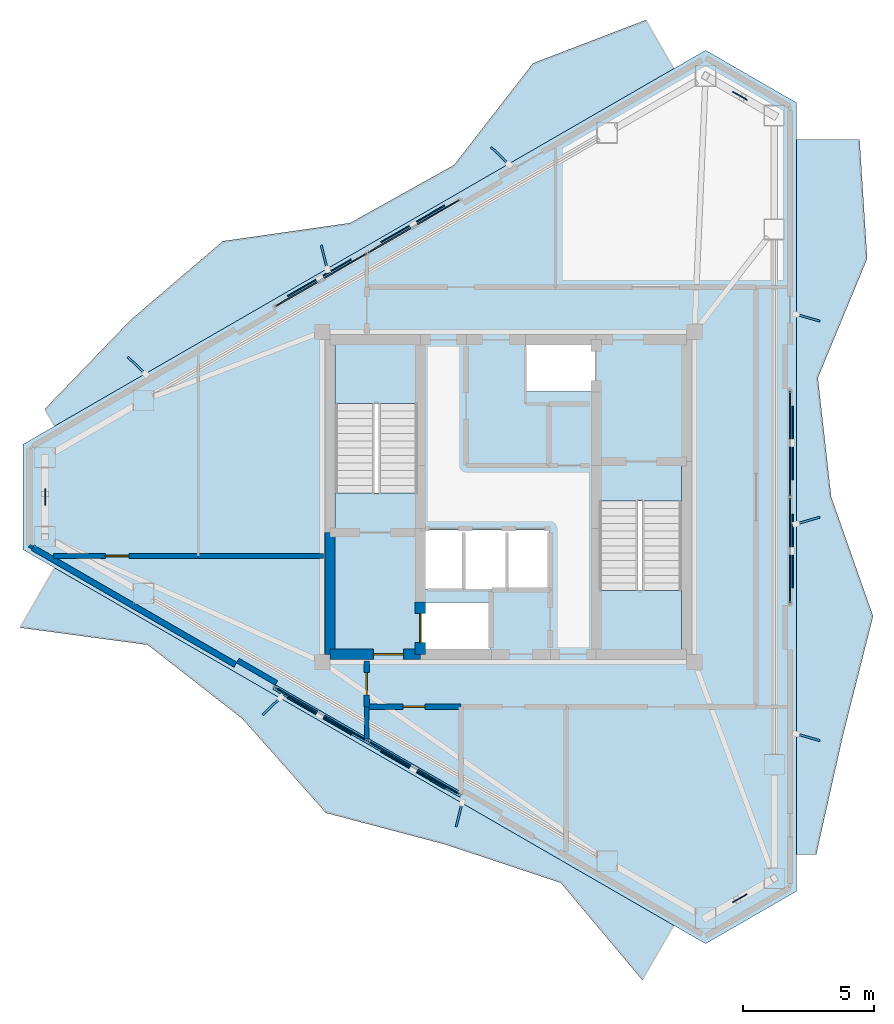
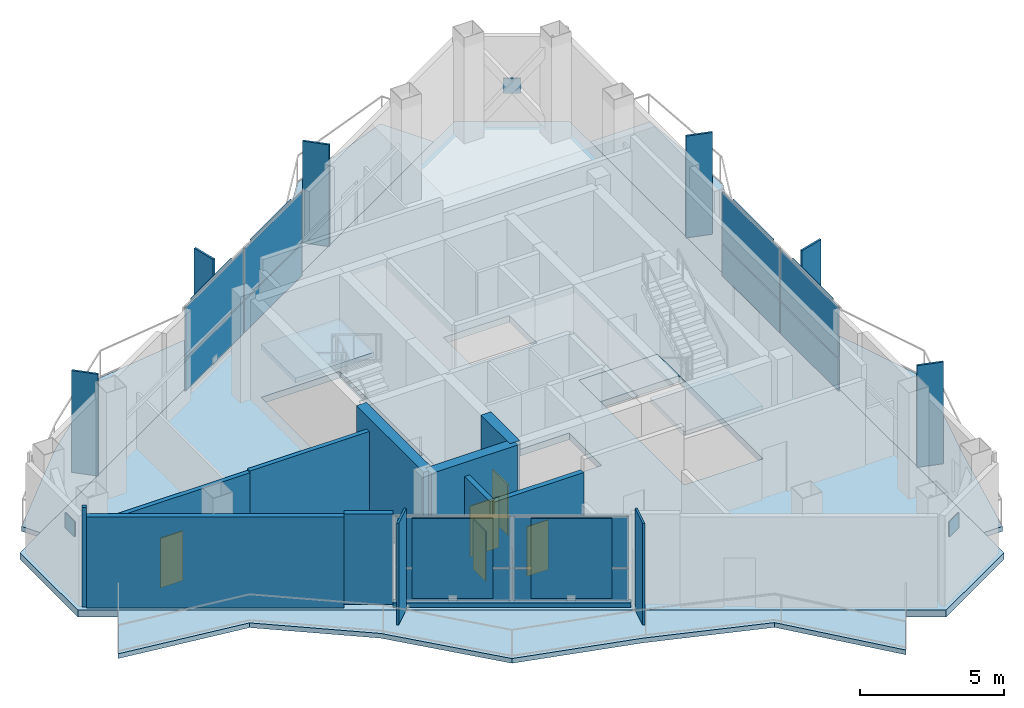
# One storey, part 9 of 14: 29 plates, 12 walls, 8 slabs, 5 doors, 5 openings, 5 elements without a shape of their own.
"""IFC4 building model written with IfcOpenShell, lengths in metres."""

from ifc_helpers import new_model, si_unit, direction, frame, frame_2d, origin, origin_2d, place, context, subcontext, project, spatial, polyline, rectangle, outline, extrude, material, layer, layer_set, type_object, element, fill, aggregate, save


model = new_model("IFC4")

# Units and contexts
model_context = context("Model", 3, precision=1e-05, world=origin(), true_north=direction((0.0, 1.0)))
body_context = subcontext(model_context, "Body", "Model", "MODEL_VIEW")
ifc_project = project(units=[si_unit("LENGTHUNIT", "METRE"), si_unit("AREAUNIT", "SQUARE_METRE"), si_unit("VOLUMEUNIT", "CUBIC_METRE"), si_unit("PLANEANGLEUNIT", "RADIAN"), si_unit("MASSUNIT", "GRAM", prefix="KILO")], contexts=[model_context])

# Site, building, storey
site_placement = place(None, origin())
site = spatial("IfcSite", under=ifc_project, at=site_placement, CompositionType="ELEMENT")
building_placement = place(site_placement, origin())
building = spatial("IfcBuilding", under=site, at=building_placement, Name="Mersakhor Tower and Convention Hall", CompositionType="ELEMENT")
storey_placement = place(building_placement, frame((0.0, 0.0, 249.60009765625)))
storey = spatial("IfcBuildingStorey", under=building, at=storey_placement, Name="L70", CompositionType="ELEMENT", Elevation=249.60009765625)

# Curtain wall, plates
ifc_material_1 = material(Name="Dark solar low-E aluminium curtain wall", Category="aluminium")
ifc_layer_1 = layer(ifc_material_1, 0.2099609375)
ifc_layer_set_1 = layer_set([ifc_layer_1], Name="Dark solar low-E aluminium curtain wall")
curtain_wall_type = type_object("IfcCurtainWallType", Name="CW-SYS-06", PredefinedType="USERDEFINED", material=ifc_layer_set_1)
curtain_wall_1_placement = place(storey_placement, origin())
curtain_wall_1 = element("IfcCurtainWall", 1, at=curtain_wall_1_placement, inside=storey, type_object=curtain_wall_type, Name="L70 Dark-Glass Curtain Wall F1-B2", ObjectType="CURTAIN WALL", PredefinedType="USERDEFINED")
ifc_material_2 = material(Name="Dark solar double glazing", Category="glass")
ifc_layer_2 = layer(ifc_material_2, 0.052001953125)
ifc_layer_set_2 = layer_set([ifc_layer_2], Name="Dark solar double glazing")
plate_type_1 = type_object("IfcPlateType", Name="CWP-GLZ-52", PredefinedType="CURTAIN_PANEL", material=ifc_layer_set_2)
plate_1_placement = place(storey_placement, frame((21.864501953125, 35.03515625, 0.259765625), z_axis=(0.0, 0.0, 1.0), x_axis=(0.86602285698, 0.500004411169, 0.0)))
plate_1 = element("IfcPlate", 2, at=plate_1_placement, type_object=plate_type_1, Name="CW-06 panel 1.1", PredefinedType="CURTAIN_PANEL", context=body_context, shape_type="SweptSolid", body=[
    extrude(rectangle(XDim=3.993896484375, YDim=0.052001953125, at=origin_2d()), origin(), (0.0, 0.0, 1.0), 1.330078125),
])
plate_2_placement = place(storey_placement, frame((21.864501953125, 35.03515625, 1.64990234375), z_axis=(0.0, 0.0, 1.0), x_axis=(0.86602285698, 0.500004411169, 0.0)))
plate_2 = element("IfcPlate", 3, at=plate_2_placement, type_object=plate_type_1, Name="CW-06 panel 1.2", PredefinedType="CURTAIN_PANEL", context=body_context, shape_type="SweptSolid", body=[
    extrude(rectangle(XDim=3.993896484375, YDim=0.052001953125, at=origin_2d()), origin(), (0.0, 0.0, 1.0), 2.1298828125),
])
plate_3_placement = place(storey_placement, frame((25.392578125, 37.072021484375, 0.259765625), z_axis=(0.0, 0.0, 1.0), x_axis=(0.86602285698, 0.500004411169, 0.0)))
plate_3 = element("IfcPlate", 4, at=plate_3_placement, type_object=plate_type_1, Name="CW-06 panel 2.1", PredefinedType="CURTAIN_PANEL", context=body_context, shape_type="SweptSolid", body=[
    extrude(rectangle(XDim=3.993896484375, YDim=0.052001953125, at=origin_2d()), origin(), (0.0, 0.0, 1.0), 1.330078125),
])
plate_4_placement = place(storey_placement, frame((25.392578125, 37.072021484375, 1.64990234375), z_axis=(0.0, 0.0, 1.0), x_axis=(0.86602285698, 0.500004411169, 0.0)))
plate_4 = element("IfcPlate", 5, at=plate_4_placement, type_object=plate_type_1, Name="CW-06 panel 2.2", PredefinedType="CURTAIN_PANEL", context=body_context, shape_type="SweptSolid", body=[
    extrude(rectangle(XDim=3.993896484375, YDim=0.052001953125, at=origin_2d()), origin(), (0.0, 0.0, 1.0), 2.1298828125),
])
aggregate(curtain_wall_1, [plate_1, plate_2, plate_3, plate_4])

curtain_wall_2_placement = place(storey_placement, origin())
curtain_wall_2 = element("IfcCurtainWall", 6, at=curtain_wall_2_placement, inside=storey, type_object=curtain_wall_type, Name="L70 Dark-Glass Curtain Wall F2-B2", ObjectType="CURTAIN WALL", PredefinedType="USERDEFINED")
plate_5_placement = place(storey_placement, frame((39.742919921875, 28.786865234375, 0.259765625), z_axis=(0.0, 0.0, 1.0), x_axis=(0.0, -1.0, 0.0)))
plate_5 = element("IfcPlate", 7, at=plate_5_placement, type_object=plate_type_1, Name="CW-06 panel 1.1", PredefinedType="CURTAIN_PANEL", context=body_context, shape_type="SweptSolid", body=[
    extrude(rectangle(XDim=3.993896484375, YDim=0.052001953125, at=origin_2d()), origin(), (0.0, 0.0, 1.0), 1.330078125),
])
plate_6_placement = place(storey_placement, frame((39.742919921875, 28.786865234375, 1.64990234375), z_axis=(0.0, 0.0, 1.0), x_axis=(0.0, -1.0, 0.0)))
plate_6 = element("IfcPlate", 8, at=plate_6_placement, type_object=plate_type_1, Name="CW-06 panel 1.2", PredefinedType="CURTAIN_PANEL", context=body_context, shape_type="SweptSolid", body=[
    extrude(rectangle(XDim=3.993896484375, YDim=0.052001953125, at=origin_2d()), origin(), (0.0, 0.0, 1.0), 2.1298828125),
])
plate_7_placement = place(storey_placement, frame((39.742919921875, 24.713134765625, 0.259765625), z_axis=(0.0, 0.0, 1.0), x_axis=(0.0, -1.0, 0.0)))
plate_7 = element("IfcPlate", 9, at=plate_7_placement, type_object=plate_type_1, Name="CW-06 panel 2.1", PredefinedType="CURTAIN_PANEL", context=body_context, shape_type="SweptSolid", body=[
    extrude(rectangle(XDim=3.993896484375, YDim=0.052001953125, at=origin_2d()), origin(), (0.0, 0.0, 1.0), 1.330078125),
])
plate_8_placement = place(storey_placement, frame((39.742919921875, 24.713134765625, 1.64990234375), z_axis=(0.0, 0.0, 1.0), x_axis=(0.0, -1.0, 0.0)))
plate_8 = element("IfcPlate", 10, at=plate_8_placement, type_object=plate_type_1, Name="CW-06 panel 2.2", PredefinedType="CURTAIN_PANEL", context=body_context, shape_type="SweptSolid", body=[
    extrude(rectangle(XDim=3.993896484375, YDim=0.052001953125, at=origin_2d()), origin(), (0.0, 0.0, 1.0), 2.1298828125),
])
aggregate(curtain_wall_2, [plate_5, plate_6, plate_7, plate_8])

curtain_wall_3_placement = place(storey_placement, origin())
curtain_wall_3 = element("IfcCurtainWall", 11, at=curtain_wall_3_placement, inside=storey, type_object=curtain_wall_type, Name="L70 Dark-Glass Curtain Wall F3-B2", ObjectType="CURTAIN WALL", PredefinedType="USERDEFINED")
plate_9_placement = place(storey_placement, frame((25.392578125, 16.427978515625, 0.259765625), z_axis=(0.0, 0.0, 1.0), x_axis=(-0.86602285698, 0.500004411169, 0.0)))
plate_9 = element("IfcPlate", 12, at=plate_9_placement, type_object=plate_type_1, Name="CW-06 panel 1.1", PredefinedType="CURTAIN_PANEL", context=body_context, shape_type="SweptSolid", body=[
    extrude(rectangle(XDim=3.993896484375, YDim=0.052001953125, at=origin_2d()), origin(), (0.0, 0.0, 1.0), 1.330078125),
])
plate_10_placement = place(storey_placement, frame((25.392578125, 16.427978515625, 1.64990234375), z_axis=(0.0, 0.0, 1.0), x_axis=(-0.86602285698, 0.500004411169, 0.0)))
plate_10 = element("IfcPlate", 13, at=plate_10_placement, type_object=plate_type_1, Name="CW-06 panel 1.2", PredefinedType="CURTAIN_PANEL", context=body_context, shape_type="SweptSolid", body=[
    extrude(rectangle(XDim=3.993896484375, YDim=0.052001953125, at=origin_2d()), origin(), (0.0, 0.0, 1.0), 2.1298828125),
])
plate_11_placement = place(storey_placement, frame((21.864501953125, 18.46484375, 0.259765625), z_axis=(0.0, 0.0, 1.0), x_axis=(-0.86602285698, 0.500004411169, 0.0)))
plate_11 = element("IfcPlate", 14, at=plate_11_placement, type_object=plate_type_1, Name="CW-06 panel 2.1", PredefinedType="CURTAIN_PANEL", context=body_context, shape_type="SweptSolid", body=[
    extrude(rectangle(XDim=3.993896484375, YDim=0.052001953125, at=origin_2d()), origin(), (0.0, 0.0, 1.0), 1.330078125),
])
plate_12_placement = place(storey_placement, frame((21.864501953125, 18.46484375, 1.64990234375), z_axis=(0.0, 0.0, 1.0), x_axis=(-0.86602285698, 0.500004411169, 0.0)))
plate_12 = element("IfcPlate", 15, at=plate_12_placement, type_object=plate_type_1, Name="CW-06 panel 2.2", PredefinedType="CURTAIN_PANEL", context=body_context, shape_type="SweptSolid", body=[
    extrude(rectangle(XDim=3.993896484375, YDim=0.052001953125, at=origin_2d()), origin(), (0.0, 0.0, 1.0), 2.1298828125),
])
aggregate(curtain_wall_3, [plate_9, plate_10, plate_11, plate_12])

# Plates
ifc_material_3 = material(Name="Ceramic-clad aluminium Zone 5 ultramarine", Category="aluminium")
ifc_material_4 = material(Name="Ceramic-clad aluminium Zone 1 cobalt-slate", Category="masonry")
ifc_layer_3 = layer(ifc_material_4, 0.080078125)
ifc_layer_set_3 = layer_set([ifc_layer_3], Name="Ceramic-clad aluminium Zone 1 cobalt-slate")
plate_type_2 = type_object("IfcPlateType", Name="PL-FIN-80", PredefinedType="USERDEFINED", material=ifc_layer_set_3)
for number, where, z_axis, x_axis, name in (
    (16, (14.826904296875, 31.7646484375, 0.0), (0.0, 0.0, 1.0), (-0.719339800339, 0.694658370459, 0.0), "L70 Zone 5 Coloured Brise-Soleil Fin F1-1"),
    (17, (21.981689453125, 35.8955078125, 0.0), (0.0, 0.0, 1.0), (-0.2419218956, 0.970295726276, 0.0), "L70 Zone 5 Coloured Brise-Soleil Fin F1-2"),
    (18, (28.68310546875, 39.7646484375, 0.0), (0.0, 0.0, 1.0), (-0.719339800339, 0.694658370459, 0.0), "L70 Zone 5 Coloured Brise-Soleil Fin F1-3"),
    (19, (40.429443359375, 33.58837890625, 0.0), (0.0, 0.0, 1.0), (0.961261695938, -0.275637355817, 0.0), "L70 Zone 5 Coloured Brise-Soleil Fin F2-1"),
    (20, (40.429443359375, 25.850341796875, 0.0), (0.0, 0.0, 1.0), (0.961261695938, 0.275637355817, 0.0), "L70 Zone 5 Coloured Brise-Soleil Fin F2-2"),
    (21, (40.429443359375, 17.58837890625, 0.0), (0.0, 0.0, 1.0), (0.961261695938, -0.275637355817, 0.0), "L70 Zone 5 Coloured Brise-Soleil Fin F2-3"),
    (22, (27.125, 14.635009765625, 0.0), (0.0, 0.0, 1.0), (-0.2419218956, -0.970295726276, 0.0), "L70 Zone 5 Coloured Brise-Soleil Fin F3-1"),
    (23, (19.969970703125, 18.765869140625, 0.0), (0.0, 0.0, 1.0), (-0.719339800339, -0.694658370459, 0.0), "L70 Zone 5 Coloured Brise-Soleil Fin F3-2"),
):
    element("IfcPlate", number, at=place(storey_placement, frame(where, z_axis=z_axis, x_axis=x_axis)), inside=storey, type_object=plate_type_2, material=ifc_material_3, Name=name, ObjectType="FIN", PredefinedType="USERDEFINED", context=body_context, shape_type="SweptSolid", body=[
        extrude(rectangle(XDim=0.949951171875, YDim=0.080078125, at=origin_2d()), origin(), (0.0, 0.0, 1.0), 4.300048828125),
    ])
ifc_material_5 = material(Name="Steel S460", Category="steel")
ifc_layer_4 = layer(ifc_material_5, 0.0400390625)
ifc_layer_set_4 = layer_set([ifc_layer_4], Name="Steel S460")
plate_type_3 = type_object("IfcPlateType", Name="PL-GUSSET-40", PredefinedType="SHEET", material=ifc_layer_set_4)
for number, where, z_axis, x_axis, name in (
    (24, (37.833984375, 42.051025390625, 1.7900390625), (0.0, 0.0, 1.0), (-0.866025403784, 0.5, 0.0), "L70 X-Brace Crossing Gusset Node Plate"),
    (25, (37.833984375, 11.448974609375, 1.7900390625), (0.0, 0.0, 1.0), (0.866025403784, 0.5, 0.0), "L70 X-Brace Crossing Gusset Node Plate"),
    (26, (11.33203125, 26.75, 1.7900390625), (0.0, 0.0, 1.0), (0.0, -1.0, 0.0), "L70 X-Brace Crossing Gusset Node Plate"),
):
    element("IfcPlate", number, at=place(storey_placement, frame(where, z_axis=z_axis, x_axis=x_axis)), inside=storey, type_object=plate_type_3, Name=name, PredefinedType="SHEET", context=body_context, shape_type="SweptSolid", body=[
        extrude(rectangle(XDim=0.639892578125, YDim=0.0400390625, at=origin_2d()), origin(), (0.0, 0.0, 1.0), 0.639892578125),
    ])
ifc_material_6 = material(Name="Perforated ceramic cobogo solar screen", Category="aluminium")
ifc_layer_5 = layer(ifc_material_6, 0.048095703125)
ifc_layer_set_5 = layer_set([ifc_layer_5], Name="Perforated ceramic cobogo solar screen")
plate_type_4 = type_object("IfcPlateType", Name="PL-SCR-48", PredefinedType="USERDEFINED", material=ifc_layer_set_5)
for number, where, z_axis, x_axis, name in (
    (27, (21.80029296875, 35.1064453125, 0.39990234375), (0.0, 0.0, 1.0), (0.866025403784, 0.5, 0.0), "L70 Perforated Ceramic Solar Screen F1-1"),
    (28, (25.363037109375, 37.163330078125, 0.39990234375), (0.0, 0.0, 1.0), (0.866025403784, 0.5, 0.0), "L70 Perforated Ceramic Solar Screen F1-2"),
    (29, (39.8369140625, 28.806884765625, 0.39990234375), (0.0, 0.0, 1.0), (0.0, -1.0, 0.0), "L70 Perforated Ceramic Solar Screen F2-1"),
    (30, (39.8369140625, 24.693115234375, 0.39990234375), (0.0, 0.0, 1.0), (0.0, -1.0, 0.0), "L70 Perforated Ceramic Solar Screen F2-2"),
    (31, (25.36279296875, 16.336669921875, 0.39990234375), (0.0, 0.0, 1.0), (-0.866025403784, 0.5, 0.0), "L70 Perforated Ceramic Solar Screen F3-1"),
    (32, (21.80029296875, 18.3935546875, 0.39990234375), (0.0, 0.0, 1.0), (-0.866025403784, 0.5, 0.0), "L70 Perforated Ceramic Solar Screen F3-2"),
):
    element("IfcPlate", number, at=place(storey_placement, frame(where, z_axis=z_axis, x_axis=x_axis)), inside=storey, type_object=plate_type_4, Name=name, ObjectType="SCREEN", PredefinedType="USERDEFINED", context=body_context, shape_type="SweptSolid", body=[
        extrude(rectangle(XDim=2.800048828125, YDim=0.048095703125, at=origin_2d()), origin(), (0.0, 0.0, 1.0), 3.389892578125),
    ])

# Slabs
ifc_material_7 = material(Name="Concrete C45/55", Category="concrete")
ifc_layer_6 = layer(ifc_material_7, 0.199951171875)
ifc_layer_set_6 = layer_set([ifc_layer_6], Name="Concrete C45/55")
slab_type_1 = type_object("IfcSlabType", Name="SL-BAL-200", PredefinedType="FLOOR", material=ifc_layer_set_6)
slab_1_placement = place(storey_placement, frame((0.0, 0.0, -0.2001953125)))
element("IfcSlab", 33, at=slab_1_placement, inside=storey, type_object=slab_type_1, Name="L70 Sinusoidal Balcony Slab Face 1", PredefinedType="FLOOR", context=body_context, shape_type="SweptSolid", body=[
    extrude(outline(polyline([(11.6943359375, 29.451904296875), (35.312744140625, 43.088134765625), (34.2421875, 44.9423828125), (29.9453125, 43.2939453125), (26.936279296875, 39.415283203125), (22.966064453125, 37.200927734375), (18.116943359375, 36.509521484375), (14.602294921875, 33.50634765625), (11.3193359375, 30.1015625), (11.6943359375, 29.451904296875)])), origin(), (0.0, 0.0, 1.0), 0.2001953125),
])
slab_2_placement = place(storey_placement, frame((0.0, 0.0, -0.2001953125)))
element("IfcSlab", 34, at=slab_2_placement, inside=storey, type_object=slab_type_1, Name="L70 Sinusoidal Balcony Slab Face 2", PredefinedType="FLOOR", context=body_context, shape_type="SweptSolid", body=[
    extrude(outline(polyline([(39.992919921875, 40.385986328125), (39.992919921875, 13.114013671875), (40.742919921875, 13.114013671875), (41.76416015625, 17.6591796875), (42.912841796875, 22.20458984375), (41.31640625, 26.75), (40.80712890625, 31.29541015625), (42.688232421875, 35.8408203125), (42.397705078125, 40.385986328125), (39.992919921875, 40.385986328125)])), origin(), (0.0, 0.0, 1.0), 0.2001953125),
])
slab_3_placement = place(storey_placement, frame((0.0, 0.0, -0.2001953125)))
element("IfcSlab", 35, at=slab_3_placement, inside=storey, type_object=slab_type_1, Name="L70 Sinusoidal Balcony Slab Face 3", PredefinedType="FLOOR", context=body_context, shape_type="SweptSolid", body=[
    extrude(outline(polyline([(35.312744140625, 10.411865234375), (11.6943359375, 24.048095703125), (10.376953125, 21.76611328125), (15.24755859375, 21.111328125), (18.864990234375, 18.286376953125), (22.043701171875, 14.701171875), (26.597412109375, 13.498046875), (31.00146484375, 12.03515625), (34.1103515625, 8.3291015625), (35.312744140625, 10.411865234375)])), origin(), (0.0, 0.0, 1.0), 0.2001953125),
])
ifc_material_8 = material(Name="Concrete C45/55", Category="concrete")
ifc_layer_7 = layer(ifc_material_8, 0.280029296875)
ifc_layer_set_7 = layer_set([ifc_layer_7], Name="Concrete C45/55")
slab_type_2 = type_object("IfcSlabType", Name="SL-FLR-280", PredefinedType="FLOOR", material=ifc_layer_set_7)
slab_4_placement = place(storey_placement, frame((0.0, 0.0, -0.280029296875)))
element("IfcSlab", 36, at=slab_4_placement, inside=storey, type_object=slab_type_2, Name="L70 ST-1 Structural Stair Floor Landing", PredefinedType="LANDING", context=body_context, shape_type="SweptSolid", body=[
    extrude(outline(polyline([(25.550048828125, 25.39990234375), (25.550048828125, 26.89990234375), (22.39990234375, 26.89990234375), (22.39990234375, 25.39990234375), (25.550048828125, 25.39990234375)])), origin(), (0.0, 0.0, 1.0), 0.280029296875),
])
slab_5_placement = place(storey_placement, frame((0.0, 0.0, -0.280029296875)))
element("IfcSlab", 37, at=slab_5_placement, inside=storey, type_object=slab_type_2, Name="L70 ST-2 Structural Stair Floor Landing", PredefinedType="LANDING", context=body_context, shape_type="SweptSolid", body=[
    extrude(outline(polyline([(32.449951171875, 28.10009765625), (32.449951171875, 26.60009765625), (35.60009765625, 26.60009765625), (35.60009765625, 28.10009765625), (32.449951171875, 28.10009765625)])), origin(), (0.0, 0.0, 1.0), 0.280029296875),
])
slab_6_placement = place(storey_placement, frame((0.0, 0.0, -0.280029296875)))
element("IfcSlab", 38, at=slab_6_placement, inside=storey, type_object=slab_type_2, Name="Tower L70 Structural Floor Slab", PredefinedType="FLOOR", context=body_context, shape_type="SweptSolid", body=[
    extrude(outline(polyline([(10.48193359375, 28.751953125), (36.525146484375, 43.7880859375), (39.992919921875, 41.7861328125), (39.992919921875, 11.7138671875), (36.525146484375, 9.7119140625), (10.48193359375, 24.748046875), (10.48193359375, 28.751953125)]), holes=[polyline([(25.550048828125, 25.39990234375), (25.550048828125, 32.699951171875), (22.39990234375, 32.699951171875), (22.39990234375, 25.39990234375), (25.550048828125, 25.39990234375)]), polyline([(32.449951171875, 28.10009765625), (32.449951171875, 20.800048828125), (35.60009765625, 20.800048828125), (35.60009765625, 28.10009765625), (32.449951171875, 28.10009765625)]), polyline([(25.679931640625, 20.820068359375), (25.679931640625, 22.719970703125), (28.320068359375, 22.719970703125), (28.320068359375, 20.820068359375), (25.679931640625, 20.820068359375)]), polyline([(29.679931640625, 30.780029296875), (29.679931640625, 32.679931640625), (32.320068359375, 32.679931640625), (32.320068359375, 30.780029296875), (29.679931640625, 30.780029296875)]), polyline([(25.679931640625, 23.25), (25.679931640625, 25.5), (30.570068359375, 25.5), (30.570068359375, 23.25), (25.679931640625, 23.25)])]), origin(), (0.0, 0.0, 1.0), 0.280029296875),
])

# Stair, slab
ifc_material_9 = material(Name="Concrete C45/55", Category="concrete")
stair_type = type_object("IfcStairType", Name="ST-TWR-26R", PredefinedType="HALF_TURN_STAIR", material=ifc_material_9)
stair_1_placement = place(storey_placement, origin())
stair_1 = element("IfcStair", 39, at=stair_1_placement, inside=storey, type_object=stair_type, Name="L70 Tower Protected Exit Stair ST-1", PredefinedType="HALF_TURN_STAIR")
ifc_material_10 = material(Name="Concrete C45/55", Category="concrete")
ifc_layer_8 = layer(ifc_material_10, 0.199951171875)
ifc_layer_set_8 = layer_set([ifc_layer_8], Name="Concrete C45/55")
slab_type_3 = type_object("IfcSlabType", Name="SL-LAND-200", PredefinedType="LANDING", material=ifc_layer_set_8)
slab_7_placement = place(storey_placement, frame((0.0, 0.0, 2.0498046875)))
slab_7 = element("IfcSlab", 40, at=slab_7_placement, type_object=slab_type_3, Name="ST-1 landing 1", PredefinedType="LANDING", context=body_context, shape_type="SweptSolid", body=[
    extrude(outline(polyline([(25.550048828125, 30.320068359375), (25.550048828125, 32.699951171875), (22.39990234375, 32.699951171875), (22.39990234375, 30.320068359375), (25.550048828125, 30.320068359375)])), origin(), (0.0, 0.0, 1.0), 0.2001953125),
])
aggregate(stair_1, [slab_7])

stair_2_placement = place(storey_placement, origin())
stair_2 = element("IfcStair", 41, at=stair_2_placement, inside=storey, type_object=stair_type, Name="L70 Tower Protected Exit Stair ST-2", PredefinedType="HALF_TURN_STAIR")
slab_8_placement = place(storey_placement, frame((0.0, 0.0, 2.0498046875)))
slab_8 = element("IfcSlab", 42, at=slab_8_placement, type_object=slab_type_3, Name="ST-2 landing 1", PredefinedType="LANDING", context=body_context, shape_type="SweptSolid", body=[
    extrude(outline(polyline([(32.449951171875, 23.179931640625), (32.449951171875, 20.800048828125), (35.60009765625, 20.800048828125), (35.60009765625, 23.179931640625), (32.449951171875, 23.179931640625)])), origin(), (0.0, 0.0, 1.0), 0.2001953125),
])
aggregate(stair_2, [slab_8])

# Walls
ifc_material_11 = material(Name="Precast concrete C40/50", Category="concrete")
ifc_layer_9 = layer(ifc_material_11, 0.22509765625)
ifc_layer_set_9 = layer_set([ifc_layer_9], Name="Precast concrete C40/50")
wall_type_1 = type_object("IfcWallType", Name="WL-EXT-225", PredefinedType="SOLIDWALL", material=ifc_layer_set_9)
wall_1_placement = place(storey_placement, frame((18.593505859375, 20.353515625, 0.0), z_axis=(0.0, 0.0, 1.0), x_axis=(-0.866026655105, 0.499997832642, 0.0)))
element("IfcWall", 43, at=wall_1_placement, inside=storey, type_object=wall_type_1, Name="L70 Exterior Facade Wall F3-B3", PredefinedType="SOLIDWALL", context=body_context, shape_type="SweptSolid", body=[
    extrude(rectangle(XDim=8.927734375, YDim=0.22509765625, at=frame_2d((4.4638671875, 0.0))), origin(), (0.0, 0.0, 1.0), 3.83984375),
])
ifc_material_12 = material(Name="Precast concrete C40/50", Category="concrete")
ifc_layer_10 = layer(ifc_material_12, 0.199951171875)
ifc_layer_set_10 = layer_set([ifc_layer_10], Name="Precast concrete C40/50")
wall_type_2 = type_object("IfcWallType", Name="WL-PAR-200", PredefinedType="PARAPET", material=ifc_layer_set_10)
wall_2_placement = place(storey_placement, frame((27.19140625, 15.389404296875, 0.0), z_axis=(0.0, 0.0, 1.0), x_axis=(-0.866019557082, 0.500010126649, 0.0)))
element("IfcWall", 44, at=wall_2_placement, inside=storey, type_object=wall_type_2, Name="L70 Curtain Wall Upstand Sill F3-B2", PredefinedType="PARAPET", context=body_context, shape_type="SweptSolid", body=[
    extrude(rectangle(XDim=8.227783203125, YDim=0.199951171875, at=frame_2d((4.11376953125, 0.0))), origin(), (0.0, 0.0, 1.0), 0.199951171875),
])
wall_3_placement = place(storey_placement, frame((20.156005859375, 19.6591796875, 0.0), z_axis=(0.0, 0.0, 1.0), x_axis=(-0.866025371046, 0.500000056704, 0.0)))
element("IfcWall", 45, at=wall_3_placement, inside=storey, type_object=wall_type_2, Name="L70 Column Pier Cladding Wall F3-C2", PredefinedType="PARAPET", context=body_context, shape_type="SweptSolid", body=[
    extrude(rectangle(XDim=1.7001953125, YDim=0.199951171875, at=frame_2d((0.85009765625, 0.0))), origin(), (0.0, 0.0, 1.0), 3.83984375),
])
ifc_material_13 = material(Name="Moisture-resistant acoustic drywall studwork", Category="other")
ifc_layer_11 = layer(ifc_material_13, 0.175048828125)
ifc_layer_set_11 = layer_set([ifc_layer_11], Name="Moisture-resistant acoustic drywall studwork")
wall_type_3 = type_object("IfcWallType", Name="WL-PLM-175", PredefinedType="PLUMBINGWALL", material=ifc_layer_set_11)
wall_4_placement = place(storey_placement, frame((23.60009765625, 17.520751953125, 0.0), z_axis=(0.0, 0.0, 1.0), x_axis=(0.0, 1.0, 0.0)))
element("IfcWall", 46, at=wall_4_placement, inside=storey, type_object=wall_type_3, Name="L70 Interior Partition Wall P-025", PredefinedType="PLUMBINGWALL", context=body_context, shape_type="SweptSolid", body=[
    extrude(rectangle(XDim=1.229248046875, YDim=0.175048828125, at=frame_2d((0.61474609375, 0.0))), origin(), (0.0, 0.0, 1.0), 2.364990234375),
])

# Wall, opening, door
wall_5_placement = place(storey_placement, frame((11.65966796875, 24.5, 0.0), z_axis=(0.0, 0.0, 1.0), x_axis=(1.0, 0.0, 0.0)))
wall_5 = element("IfcWall", 47, at=wall_5_placement, inside=storey, type_object=wall_type_3, Name="L70 Interior Partition Wall P-026", PredefinedType="PLUMBINGWALL", context=body_context, shape_type="SweptSolid", body=[
    extrude(rectangle(XDim=5.51025390625, YDim=0.175048828125, at=frame_2d((2.755126953125, 0.0))), origin(), (0.0, 0.0, 1.0), 3.668212890625),
])
opening_1_placement = place(wall_5_placement, frame((1.971435546875, 0.0, 0.0)))
opening_1 = element("IfcOpeningElement", 48, at=opening_1_placement, cuts=wall_5, Name="Opening WD-01", PredefinedType="OPENING", context=body_context, shape_type="SweptSolid", body=[
    extrude(rectangle(XDim=0.89990234375, YDim=2.10009765625, at=frame_2d((0.449951171875, 1.050048828125))), frame((0.0, 0.097412109375, 0.0), z_axis=(0.0, -1.0, 0.0), x_axis=(1.0, 0.0, 0.0)), (0.0, 0.0, 1.0), 0.195068359375),
])
ifc_material_14 = material(Name="Solid-core hardwood leaf in painted steel frame", Category="steel")
door_type_1 = type_object("IfcDoorType", Name="DR-INT-WET-090x210", OperationType="NOTDEFINED", PredefinedType="DOOR", material=ifc_material_14)
door_1_placement = place(opening_1_placement, origin())
door_1 = element("IfcDoor", 49, at=door_1_placement, inside=storey, type_object=door_type_1, Name="L70 L70 Conservatory Accessible Toilet WC to West Panorama Garden Lounge Door", OperationType="SINGLE_SWING_LEFT", OverallHeight=2.10009765625, OverallWidth=0.89990234375, PredefinedType="DOOR", context=body_context, shape_type="SweptSolid", body=[
    extrude(rectangle(XDim=0.89990234375, YDim=2.10009765625, at=frame_2d((0.449951171875, 1.050048828125))), frame((0.0, 0.02490234375, 0.0), z_axis=(0.0, -1.0, 0.0), x_axis=(1.0, 0.0, 0.0)), (0.0, 0.0, 1.0), 0.050048828125),
])
fill(opening_1, door_1)

# Walls
wall_6_placement = place(storey_placement, frame((17.169921875, 24.5, 0.0), z_axis=(0.0, 0.0, 1.0), x_axis=(1.0, 0.0, 0.0)))
element("IfcWall", 50, at=wall_6_placement, inside=storey, type_object=wall_type_3, Name="L70 Interior Partition Wall P-027", PredefinedType="PLUMBINGWALL", context=body_context, shape_type="SweptSolid", body=[
    extrude(rectangle(XDim=4.780029296875, YDim=0.175048828125, at=frame_2d((2.39013671875, 0.0))), origin(), (0.0, 0.0, 1.0), 3.744873046875),
])
ifc_material_15 = material(Name="Gypsum board acoustic partition", Category="other")
ifc_layer_12 = layer(ifc_material_15, 0.125)
ifc_layer_set_12 = layer_set([ifc_layer_12], Name="Gypsum board acoustic partition")
wall_type_4 = type_object("IfcWallType", Name="WL-PRT-125", PredefinedType="PARTITIONING", material=ifc_layer_set_12)
wall_7_placement = place(storey_placement, frame((10.86181640625, 24.817138671875, 0.0), z_axis=(0.0, 0.0, 1.0), x_axis=(-0.866131372301, 0.499816412211, 0.0)))
element("IfcWall", 51, at=wall_7_placement, inside=storey, type_object=wall_type_4, Name="L70 Interior Partition Wall P-037", PredefinedType="PARTITIONING", context=body_context, shape_type="SweptSolid", body=[
    extrude(rectangle(XDim=0.14990234375, YDim=0.125, at=frame_2d((0.074951171875, 0.0))), origin(), (0.0, 0.0, 1.0), 4.219970703125),
])

# Wall, opening, door
ifc_material_16 = material(Name="Acoustic concrete blockwork and gypsum board", Category="masonry")
ifc_layer_13 = layer(ifc_material_16, 0.199951171875)
ifc_layer_set_13 = layer_set([ifc_layer_13], Name="Acoustic concrete blockwork and gypsum board")
wall_type_5 = type_object("IfcWallType", Name="WL-PRT-200", PredefinedType="PARTITIONING", material=ifc_layer_set_13)
wall_8_placement = place(storey_placement, frame((27.199951171875, 18.75, 0.0), z_axis=(0.0, 0.0, 1.0), x_axis=(-1.0, 0.0, 0.0)))
wall_8 = element("IfcWall", 52, at=wall_8_placement, inside=storey, type_object=wall_type_5, Name="L70 Interior Partition Wall P-022", PredefinedType="PARTITIONING", context=body_context, shape_type="SweptSolid", body=[
    extrude(rectangle(XDim=3.599853515625, YDim=0.199951171875, at=frame_2d((1.7998046875, 0.0))), origin(), (0.0, 0.0, 1.0), 3.668212890625),
])
opening_2_placement = place(wall_8_placement, frame((1.375, 0.0, 0.0)))
opening_2 = element("IfcOpeningElement", 53, at=opening_2_placement, cuts=wall_8, Name="Opening SVD-01", PredefinedType="OPENING", context=body_context, shape_type="SweptSolid", body=[
    extrude(rectangle(XDim=0.85009765625, YDim=2.10009765625, at=frame_2d((0.425048828125, 1.050048828125))), frame((0.0, 0.10986328125, 0.0), z_axis=(0.0, -1.0, 0.0), x_axis=(1.0, 0.0, 0.0)), (0.0, 0.0, 1.0), 0.219970703125),
])
ifc_material_17 = material(Name="Fire-rated hardwood leaf and painted steel frame", Category="steel")
door_type_2 = type_object("IfcDoorType", Name="DR-INT-SVC-085x210", OperationType="NOTDEFINED", PredefinedType="DOOR", material=ifc_material_17)
door_2_placement = place(opening_2_placement, origin())
door_2 = element("IfcDoor", 54, at=door_2_placement, inside=storey, type_object=door_type_2, Name="L70 L70 Sky-Lobby Corridor to L70 Conservatory Public Restrooms Door", OperationType="SINGLE_SWING_LEFT", OverallHeight=2.10009765625, OverallWidth=0.85009765625, PredefinedType="DOOR", context=body_context, shape_type="SweptSolid", body=[
    extrude(rectangle(XDim=0.85009765625, YDim=2.10009765625, at=frame_2d((0.425048828125, 1.050048828125))), frame((0.0, 0.02490234375, 0.0), z_axis=(0.0, -1.0, 0.0), x_axis=(1.0, 0.0, 0.0)), (0.0, 0.0, 1.0), 0.050048828125),
])
fill(opening_2, door_2)

wall_9_placement = place(storey_placement, frame((23.60009765625, 18.75, 0.0), z_axis=(0.0, 0.0, 1.0), x_axis=(0.0, 1.0, 0.0)))
wall_9 = element("IfcWall", 55, at=wall_9_placement, inside=storey, type_object=wall_type_5, Name="L70 Interior Partition Wall P-023", PredefinedType="PARTITIONING", context=body_context, shape_type="SweptSolid", body=[
    extrude(rectangle(XDim=1.75, YDim=0.199951171875, at=frame_2d((0.875, 0.0))), origin(), (0.0, 0.0, 1.0), 3.668212890625),
])
opening_3_placement = place(wall_9_placement, frame((0.449951171875, 0.0, 0.0)))
opening_3 = element("IfcOpeningElement", 56, at=opening_3_placement, cuts=wall_9, Name="Opening SVD-01", PredefinedType="OPENING", context=body_context, shape_type="SweptSolid", body=[
    extrude(rectangle(XDim=0.85009765625, YDim=2.10009765625, at=frame_2d((0.425048828125, 1.050048828125))), frame((0.0, 0.10986328125, 0.0), z_axis=(0.0, -1.0, 0.0), x_axis=(1.0, 0.0, 0.0)), (0.0, 0.0, 1.0), 0.219970703125),
])
door_3_placement = place(opening_3_placement, origin())
door_3 = element("IfcDoor", 57, at=door_3_placement, inside=storey, type_object=door_type_2, Name="L70 L70 Sky-Lobby Corridor to L70 Conservatory Accessible Toilet WC Door", OperationType="SINGLE_SWING_RIGHT", OverallHeight=2.10009765625, OverallWidth=0.85009765625, PredefinedType="DOOR", context=body_context, shape_type="SweptSolid", body=[
    extrude(rectangle(XDim=0.85009765625, YDim=2.10009765625, at=frame_2d((0.425048828125, 1.050048828125))), frame((0.0, 0.02490234375, 0.0), z_axis=(0.0, -1.0, 0.0), x_axis=(1.0, 0.0, 0.0)), (0.0, 0.0, 1.0), 0.050048828125),
])
fill(opening_3, door_3)

# Wall
ifc_material_18 = material(Name="Concrete C60/75", Category="concrete")
ifc_layer_14 = layer(ifc_material_18, 0.39990234375)
ifc_layer_set_14 = layer_set([ifc_layer_14], Name="Concrete C60/75")
wall_type_6 = type_object("IfcWallType", Name="WL-SHR-400", PredefinedType="SHEAR", material=ifc_layer_set_14)
wall_10_placement = place(storey_placement, frame((22.199951171875, 20.75, 0.0), z_axis=(0.0, 0.0, 1.0), x_axis=(0.0, 1.0, 0.0)))
element("IfcWall", 58, at=wall_10_placement, inside=storey, type_object=wall_type_6, Name="L70 Core Wall CW-W1", PredefinedType="SHEAR", context=body_context, shape_type="SweptSolid", body=[
    extrude(rectangle(XDim=4.64990234375, YDim=0.39990234375, at=frame_2d((2.324951171875, 0.0))), origin(), (0.0, 0.0, 1.0), 4.219970703125),
])

# Wall, opening, door
wall_11_placement = place(storey_placement, frame((25.64990234375, 20.75, 0.0), z_axis=(0.0, 0.0, 1.0), x_axis=(-1.0, 0.0, 0.0)))
wall_11 = element("IfcWall", 59, at=wall_11_placement, inside=storey, type_object=wall_type_6, Name="L70 Core Wall CW-S4", PredefinedType="SHEAR", context=body_context, shape_type="SweptSolid", body=[
    extrude(rectangle(XDim=3.449951171875, YDim=0.39990234375, at=frame_2d((1.72509765625, 0.0))), origin(), (0.0, 0.0, 1.0), 4.219970703125),
])
opening_4_placement = place(wall_11_placement, frame((0.64990234375, 0.0, 0.0)))
opening_4 = element("IfcOpeningElement", 60, at=opening_4_placement, cuts=wall_11, Name="Opening SD-01", PredefinedType="OPENING", context=body_context, shape_type="SweptSolid", body=[
    extrude(rectangle(XDim=1.14990234375, YDim=2.14990234375, at=frame_2d((0.574951171875, 1.074951171875))), frame((0.0, 0.2099609375, 0.0), z_axis=(0.0, -1.0, 0.0), x_axis=(1.0, 0.0, 0.0)), (0.0, 0.0, 1.0), 0.419921875),
])
ifc_material_19 = material(Name="Fire-rated hardwood leaf and painted steel frame", Category="steel")
door_type_3 = type_object("IfcDoorType", Name="DR-INT-STAIR-115x215", OperationType="NOTDEFINED", PredefinedType="DOOR", material=ifc_material_19)
door_4_placement = place(opening_4_placement, origin())
door_4 = element("IfcDoor", 61, at=door_4_placement, inside=storey, type_object=door_type_3, Name="L70 Firefighting Lobby West Fire Door", OperationType="SINGLE_SWING_LEFT", OverallHeight=2.14990234375, OverallWidth=1.14990234375, PredefinedType="DOOR", context=body_context, shape_type="SweptSolid", body=[
    extrude(rectangle(XDim=1.14990234375, YDim=2.14990234375, at=frame_2d((0.574951171875, 1.074951171875))), frame((0.0, 0.02490234375, 0.0), z_axis=(0.0, -1.0, 0.0), x_axis=(1.0, 0.0, 0.0)), (0.0, 0.0, 1.0), 0.050048828125),
])
fill(opening_4, door_4)

wall_12_placement = place(storey_placement, frame((25.64990234375, 20.75, 0.0), z_axis=(0.0, 0.0, 1.0), x_axis=(0.0, 1.0, 0.0)))
wall_12 = element("IfcWall", 62, at=wall_12_placement, inside=storey, type_object=wall_type_6, Name="L70 Core Wall CS-W-FFL", PredefinedType="SHEAR", context=body_context, shape_type="SweptSolid", body=[
    extrude(rectangle(XDim=2.0, YDim=0.39990234375, at=frame_2d((1.0, 0.0))), origin(), (0.0, 0.0, 1.0), 4.219970703125),
])
opening_5_placement = place(wall_12_placement, frame((0.449951171875, 0.0, 0.0)))
opening_5 = element("IfcOpeningElement", 63, at=opening_5_placement, cuts=wall_12, Name="Opening LD-FFL1", PredefinedType="OPENING", context=body_context, shape_type="SweptSolid", body=[
    extrude(rectangle(XDim=1.10009765625, YDim=2.14990234375, at=frame_2d((0.550048828125, 1.074951171875))), frame((0.0, 0.2099609375, 0.0), z_axis=(0.0, -1.0, 0.0), x_axis=(1.0, 0.0, 0.0)), (0.0, 0.0, 1.0), 0.419921875),
])
ifc_material_20 = material(Name="Fire-rated brushed stainless steel sliding landing door", Category="steel")
door_type_4 = type_object("IfcDoorType", Name="DR-LIFT-SLD-110x215", OperationType="NOTDEFINED", PredefinedType="DOOR", material=ifc_material_20)
door_5_placement = place(opening_5_placement, origin())
door_5 = element("IfcDoor", 64, at=door_5_placement, inside=storey, type_object=door_type_4, Name="L70 Firefighting Lift Landing Door LD-FFL1", OperationType="SLIDING_TO_LEFT", OverallHeight=2.14990234375, OverallWidth=1.10009765625, PredefinedType="DOOR", context=body_context, shape_type="SweptSolid", body=[
    extrude(rectangle(XDim=1.10009765625, YDim=2.14990234375, at=frame_2d((0.550048828125, 1.074951171875))), frame((0.0, 0.02490234375, 0.0), z_axis=(0.0, -1.0, 0.0), x_axis=(1.0, 0.0, 0.0)), (0.0, 0.0, 1.0), 0.050048828125),
])
fill(opening_5, door_5)

save(model, "model.ifc")
